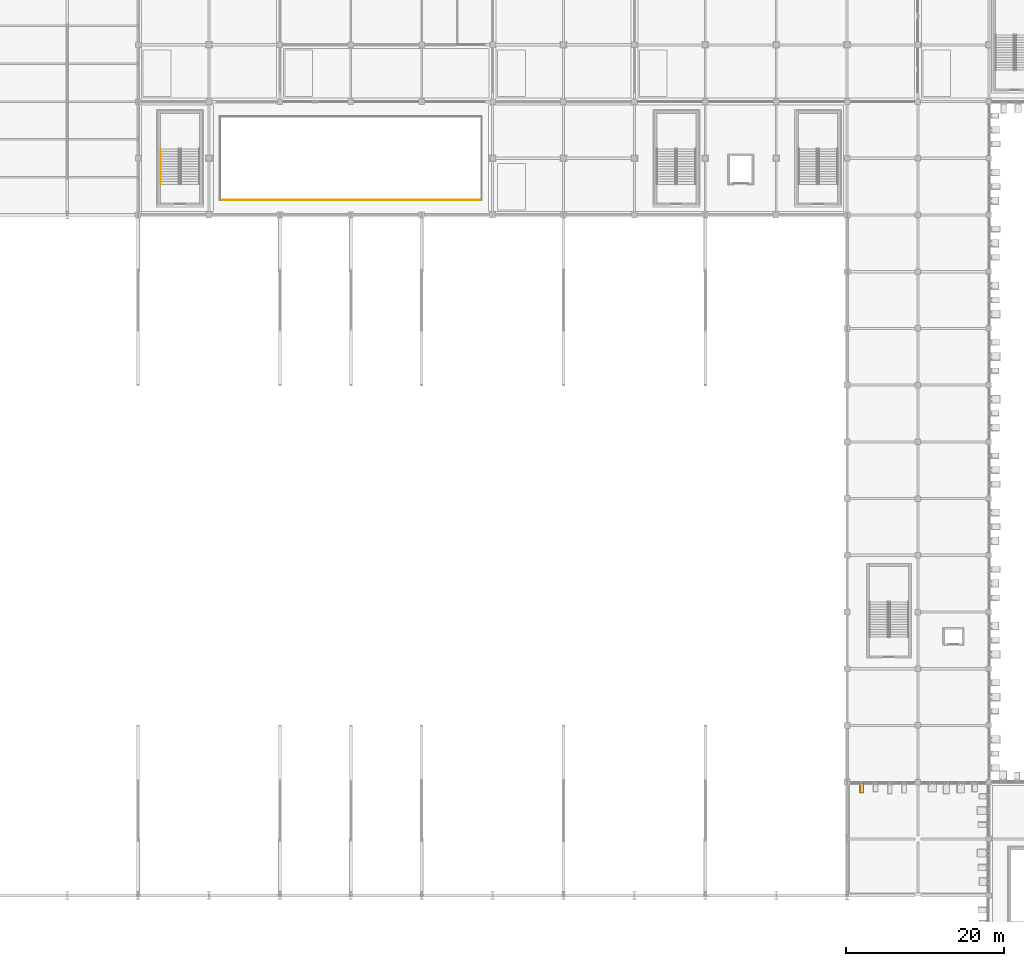
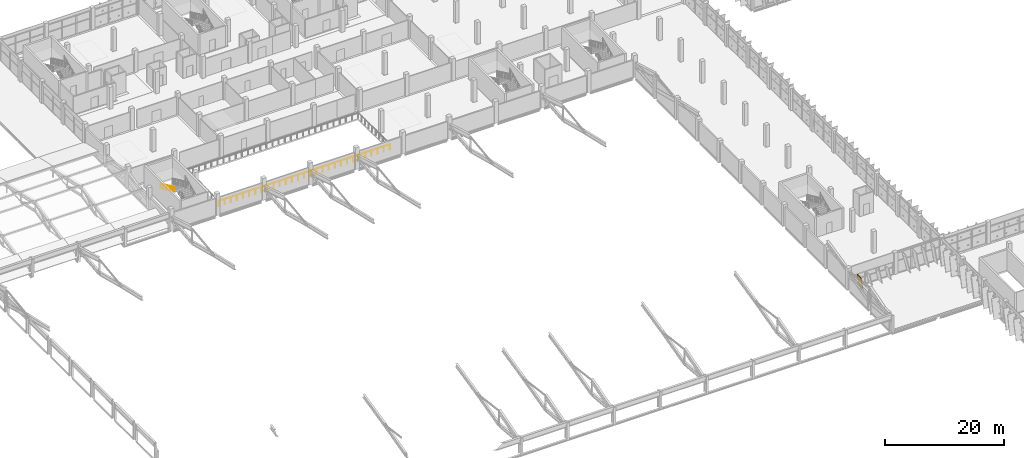
# One storey, part 129 of 151: 2 railings, 1 covering, 1 shading device.
"""IFC4 building model written with IfcOpenShell, lengths in metres."""

import ifcopenshell
import ifcopenshell.guid

model = None  # the IFC model being written
_history = None  # IfcOwnerHistory: only IFC2X3 demands one
_inside = {}  # id of a spatial element -> (the spatial element, [elements in it])
_under = {}  # id of a project, library or spatial element -> (it, [spatial elements below it])
_declared = {}  # id of a project -> (the project, [libraries it declares])
_typed = {}  # id of a type object -> (the type object, [elements of that type])
_made_of = {}  # id of a material, layer set ... -> (it, [elements and type objects made of it])


def new_model(schema):
    """Start an empty IFC model of exactly this schema.

    Asked for "IFC4X3", IfcOpenShell would pick the latest addendum, in which some entities
    have other attributes; the version numbers below select the first issue.
    IFC2X3 requires an IfcOwnerHistory on every rooted entity: one is made here for all.
    """
    global model, _history
    if schema == "IFC4X3":
        model = ifcopenshell.file(schema_version=(4, 3, 0, 0))
    else:
        model = ifcopenshell.file(schema=schema)
    _inside.clear()
    _under.clear()
    _declared.clear()
    _typed.clear()
    _made_of.clear()
    _history = None
    if model.schema == "IFC2X3":
        org = make("IfcOrganization", Name="unknown")
        user = make(
            "IfcPersonAndOrganization",
            ThePerson=make("IfcPerson", FamilyName="unknown"),
            TheOrganization=org,
        )
        app = make(
            "IfcApplication",
            ApplicationDeveloper=org,
            Version="unknown",
            ApplicationFullName="unknown",
            ApplicationIdentifier="unknown",
        )
        _history = make(
            "IfcOwnerHistory",
            OwningUser=user,
            OwningApplication=app,
            ChangeAction="ADDED",
            CreationDate=0,
        )
    return model


def make(cls, **values):
    """One entity of the class cls with the attributes given. An attribute that is None is left unset."""
    return model.create_entity(
        cls, **{name: value for name, value in values.items() if value is not None}
    )


def rooted(cls, **values):
    """An entity with a GlobalId (a new one), such as an element, a storey or a relation."""
    return make(cls, GlobalId=ifcopenshell.guid.new(), OwnerHistory=_history, **values)


def si_unit(unit_type, name, prefix=None):
    """IfcSIUnit, for example si_unit("LENGTHUNIT", "METRE", prefix="MILLI")."""
    return make("IfcSIUnit", UnitType=unit_type, Prefix=prefix, Name=name)


def assignment(units):
    """IfcUnitAssignment: the units of a project."""
    return None if units is None else make("IfcUnitAssignment", Units=units)


def point(xyz):
    """IfcCartesianPoint."""
    return None if xyz is None else make("IfcCartesianPoint", Coordinates=xyz)


def direction(xyz):
    """IfcDirection."""
    return None if xyz is None else make("IfcDirection", DirectionRatios=xyz)


def frame(location, z_axis=None, x_axis=None):
    """IfcAxis2Placement3D, a coordinate frame: its origin and axes. An axis left out is left unset."""
    return make(
        "IfcAxis2Placement3D",
        Location=point(location),
        Axis=direction(z_axis),
        RefDirection=direction(x_axis),
    )


def frame_2d(location, x_axis=None):
    """IfcAxis2Placement2D, a coordinate frame in the plane: its origin and x axis."""
    return make(
        "IfcAxis2Placement2D", Location=point(location), RefDirection=direction(x_axis)
    )


def origin():
    """The frame at (0, 0, 0) with its axes left unset."""
    return frame((0.0, 0.0, 0.0))


def origin_2d():
    """The frame at (0, 0) in the plane with its x axis left unset."""
    return frame_2d((0.0, 0.0))


def place(relative_to, where):
    """IfcLocalPlacement: puts the frame where relative to a parent placement (None: the world)."""
    return make(
        "IfcLocalPlacement", PlacementRelTo=relative_to, RelativePlacement=where
    )


def context(
    kind, dimensions, precision=None, world=None, true_north=None, identifier=None
):
    """IfcGeometricRepresentationContext, for example the 3D "Model" context."""
    return make(
        "IfcGeometricRepresentationContext",
        ContextIdentifier=identifier,
        ContextType=kind,
        CoordinateSpaceDimension=dimensions,
        Precision=precision,
        WorldCoordinateSystem=world,
        TrueNorth=true_north,
    )


def subcontext(parent, identifier, kind, view, scale=None):
    """IfcGeometricRepresentationSubContext, for example "Body" below "Model"."""
    return make(
        "IfcGeometricRepresentationSubContext",
        ContextIdentifier=identifier,
        ContextType=kind,
        ParentContext=parent,
        TargetScale=scale,
        TargetView=view,
    )


def project(units=None, contexts=None):
    """IfcProject with its units and contexts."""
    return rooted(
        "IfcProject",
        Name="project",
        RepresentationContexts=contexts,
        UnitsInContext=assignment(units),
    )


def spatial(cls, under=None, at=None, **own):
    """A site, building, storey or space (cls), placed at a placement, below another one or the project."""
    s = rooted(cls, ObjectPlacement=at, **own)
    if under is not None:
        _under.setdefault(under.id(), (under, []))[1].append(s)
    return s


def profile(cls, at=None, kind="AREA", **sizes):
    """A parametric profile (cls). Its sizes go by their IFC names, for example OverallWidth=200.0."""
    return make(cls, ProfileType=kind, Position=at, **sizes)


def rectangle(**sizes):
    """IfcRectangleProfileDef."""
    return profile("IfcRectangleProfileDef", **sizes)


def circle(**sizes):
    """IfcCircleProfileDef."""
    return profile("IfcCircleProfileDef", **sizes)


def extrude(swept, where, along, depth):
    """IfcExtrudedAreaSolid: the profile swept, set in the frame where, extruded along a direction by depth."""
    return make(
        "IfcExtrudedAreaSolid",
        SweptArea=swept,
        Position=where,
        ExtrudedDirection=direction(along),
        Depth=depth,
    )


def shape(context_of_items, identifier, shape_type, items):
    """IfcShapeRepresentation: the items that make up one representation, for example the "Body"."""
    return make(
        "IfcShapeRepresentation",
        ContextOfItems=context_of_items,
        RepresentationIdentifier=identifier,
        RepresentationType=shape_type,
        Items=items,
    )


def material(Name=None, Category=None):
    """IfcMaterial."""
    return make("IfcMaterial", Name=Name, Category=Category)


def layer(
    of_material, thickness, ventilated=None, Name=None, Category=None, Priority=None
):
    """IfcMaterialLayer: one layer of a wall or slab, of a material (None: an air gap)."""
    return make(
        "IfcMaterialLayer",
        Material=of_material,
        LayerThickness=thickness,
        IsVentilated=ventilated,
        Name=Name,
        Category=Category,
        Priority=Priority,
    )


def layer_set(layers, Name=None):
    """IfcMaterialLayerSet."""
    return make("IfcMaterialLayerSet", MaterialLayers=layers, LayerSetName=Name)


def material_profile(
    of_material, cross_section, Name=None, Category=None, Priority=None
):
    """IfcMaterialProfile: a cross section and its material."""
    return make(
        "IfcMaterialProfile",
        Name=Name,
        Material=of_material,
        Profile=cross_section,
        Priority=Priority,
        Category=Category,
    )


def profile_set(profiles, Name=None, composite=None):
    """IfcMaterialProfileSet."""
    return make(
        "IfcMaterialProfileSet",
        Name=Name,
        MaterialProfiles=profiles,
        CompositeProfile=composite,
    )


def made_of(thing, what):
    """Note that an element or type object is made of a material, layer set ...; save() writes the relation."""
    if what is not None:
        _made_of.setdefault(what.id(), (what, []))[1].append(thing)
    return thing


def type_object(cls, material=None, **own):
    """A type object (cls), such as IfcWallType, which elements share."""
    return made_of(rooted(cls, **own), material)


def element(
    cls,
    number,
    at=None,
    inside=None,
    cuts=None,
    type_object=None,
    material=None,
    context=None,
    identifier="Body",
    shape_type=None,
    held_by="IfcProductDefinitionShape",
    body=None,
    shapes=None,
    **own,
):
    """One element of the class cls, such as IfcWall. Its Tag is "e" and its number.

    at: its placement. inside: the storey or other place that contains it. cuts: it is an
    opening in that element (IfcRelVoidsElement). A single representation is given by context,
    identifier, shape_type and body (its items); several are given by shapes. held_by: the class
    of the entity that holds the representations. save() writes the other relations.
    """
    e = rooted(cls, Tag="e%d" % number, ObjectPlacement=at, **own)
    if body is not None:
        shapes = [shape(context, identifier, shape_type, body)]
    if shapes is not None:
        e.Representation = make(held_by, Representations=shapes)
    if inside is not None:
        _inside.setdefault(inside.id(), (inside, []))[1].append(e)
    if cuts is not None:
        rooted(
            "IfcRelVoidsElement", RelatingBuildingElement=cuts, RelatedOpeningElement=e
        )
    if type_object is not None:
        _typed.setdefault(type_object.id(), (type_object, []))[1].append(e)
    return made_of(e, material)


def aggregate(whole, parts):
    """IfcRelAggregates: a whole, such as a stair, and the parts it consists of."""
    return rooted("IfcRelAggregates", RelatingObject=whole, RelatedObjects=parts)


def save(model, path):
    """Write the relations noted so far, then the file.

    IfcRelAggregates (storeys below a building ...), IfcRelContainedInSpatialStructure (elements
    in a storey), IfcRelDefinesByType, IfcRelAssociatesMaterial and IfcRelDeclares: one each for
    every whole, place, type object, material and project.
    """
    for whole, parts in _under.values():
        aggregate(whole, parts)
    for where, things in _inside.values():
        rooted(
            "IfcRelContainedInSpatialStructure",
            RelatedElements=things,
            RelatingStructure=where,
        )
    for kind, things in _typed.values():
        rooted("IfcRelDefinesByType", RelatedObjects=things, RelatingType=kind)
    for what, things in _made_of.values():
        rooted("IfcRelAssociatesMaterial", RelatedObjects=things, RelatingMaterial=what)
    for by, libraries in _declared.values():
        rooted("IfcRelDeclares", RelatingContext=by, RelatedDefinitions=libraries)
    model.write(path)


model = new_model("IFC4")

# Units and contexts
model_context = context("Model", 3, precision=1e-05, world=origin(), true_north=direction((0.0, 1.0)))
body_context = subcontext(model_context, "Body", "Model", "MODEL_VIEW")
ifc_project = project(units=[si_unit("LENGTHUNIT", "METRE"), si_unit("AREAUNIT", "SQUARE_METRE"), si_unit("VOLUMEUNIT", "CUBIC_METRE"), si_unit("PLANEANGLEUNIT", "RADIAN"), si_unit("MASSUNIT", "GRAM", prefix="KILO")], contexts=[model_context])

# Site, building, storey
site_placement = place(None, origin())
site = spatial("IfcSite", under=ifc_project, at=site_placement, CompositionType="ELEMENT")
building_placement = place(site_placement, origin())
building = spatial("IfcBuilding", under=site, at=building_placement, Name="Celestram Park Convention Centre", CompositionType="ELEMENT")
storey_placement = place(building_placement, frame((0.0, 0.0, 10.800048828125)))
storey = spatial("IfcBuildingStorey", under=building, at=storey_placement, Name="L02", CompositionType="ELEMENT", Elevation=10.800048828125)

# Covering
ifc_material_1 = material(Name="Timber-Toned Anodised Aluminium Alloy 6063-T6", Category="wood")
ifc_material_profile_1 = material_profile(ifc_material_1, rectangle(XDim=1.280029296875, YDim=0.090087890625, at=origin_2d()), Name="REED1280X90")
ifc_profile_set_1 = profile_set([ifc_material_profile_1], Name="Timber-Toned Anodised Aluminium Alloy 6063-T6")
covering_type = type_object("IfcCoveringType", Name="ARC-COV-FIN1280", PredefinedType="CLADDING", material=ifc_profile_set_1)
covering_placement = place(storey_placement, frame((128.031982421875, 35.280029296875, 0.023681640625), z_axis=(-0.17019854033, 0.0, 0.98540979134), x_axis=(0.0, -1.0, 0.0)))
element("IfcCovering", 1, at=covering_placement, inside=storey, type_object=covering_type, Name="Leaning timber-toned reed fin RFN-L02-0612", PredefinedType="CLADDING", context=body_context, shape_type="SweptSolid", body=[
    extrude(rectangle(XDim=1.280029296875, YDim=0.090087890625, at=origin_2d()), origin(), (0.0, 0.0, 1.0), 2.5791015625),
])

# Shading device
ifc_material_2 = material(Name="Anodised Bronze Aluminium Alloy 6063-T6", Category="aluminium")
ifc_material_profile_2 = material_profile(ifc_material_2, rectangle(XDim=1.280029296875, YDim=0.080078125, at=origin_2d()), Name="FIN1280X80")
ifc_profile_set_2 = profile_set([ifc_material_profile_2], Name="Anodised Bronze Aluminium Alloy 6063-T6")
shading_device_type = type_object("IfcShadingDeviceType", Name="ARC-FIN-BZ1280", PredefinedType="USERDEFINED", material=ifc_profile_set_2)
shading_device_placement = place(storey_placement, frame((128.031982421875, 35.280029296875, 0.023681640625), z_axis=(-0.17019854033, 0.0, 0.98540979134), x_axis=(0.0, -1.0, 0.0)))
element("IfcShadingDevice", 2, at=shading_device_placement, inside=storey, type_object=shading_device_type, Name="Expressive solar fin FN-L02-0612", ObjectType="SOLAR_FIN", PredefinedType="USERDEFINED", context=body_context, shape_type="SweptSolid", body=[
    extrude(rectangle(XDim=1.280029296875, YDim=0.080078125, at=origin_2d()), origin(), (0.0, 0.0, 1.0), 2.5791015625),
])

# Railings
ifc_material_3 = material(Name="Stainless Steel AISI 316L & Laminated Glass", Category="steel")
ifc_layer_1 = layer(ifc_material_3, 0.06005859375)
ifc_layer_set_1 = layer_set([ifc_layer_1], Name="Stainless Steel AISI 316L & Laminated Glass")
railing_type_1 = type_object("IfcRailingType", Name="ARC-RL-GRD1120", PredefinedType="GUARDRAIL", material=ifc_layer_set_1)
railing_1_placement = place(storey_placement, frame((46.3798828125, 109.8798828125, 0.0)))
element("IfcRailing", 3, at=railing_1_placement, inside=storey, type_object=railing_type_1, Name="Atrium/balcony balustrade RL-L02-VB023", PredefinedType="GUARDRAIL", context=body_context, shape_type="SweptSolid", body=[
    extrude(circle(Radius=0.02392578125, at=origin_2d()), frame((0.0, 0.0, 1.09619140625), z_axis=(1.0, 0.0, 0.0), x_axis=(0.0, 1.0, 0.0)), (0.0, 0.0, 1.0), 33.240234375),
    extrude(circle(Radius=0.02099609375, at=origin_2d()), origin(), (0.0, 0.0, 1.0), 1.072021484375),
    extrude(circle(Radius=0.02099609375, at=origin_2d()), frame((1.187255859375, 0.0, 0.0)), (0.0, 0.0, 1.0), 1.072021484375),
    extrude(circle(Radius=0.02099609375, at=origin_2d()), frame((2.374267578125, 0.0, 0.0)), (0.0, 0.0, 1.0), 1.072021484375),
    extrude(circle(Radius=0.02099609375, at=origin_2d()), frame((3.5615234375, 0.0, 0.0)), (0.0, 0.0, 1.0), 1.072021484375),
    extrude(circle(Radius=0.02099609375, at=origin_2d()), frame((4.74853515625, 0.0, 0.0)), (0.0, 0.0, 1.0), 1.072021484375),
    extrude(circle(Radius=0.02099609375, at=origin_2d()), frame((5.935791015625, 0.0, 0.0)), (0.0, 0.0, 1.0), 1.072021484375),
    extrude(circle(Radius=0.02099609375, at=origin_2d()), frame((7.122802734375, 0.0, 0.0)), (0.0, 0.0, 1.0), 1.072021484375),
    extrude(circle(Radius=0.02099609375, at=origin_2d()), frame((8.31005859375, 0.0, 0.0)), (0.0, 0.0, 1.0), 1.072021484375),
    extrude(circle(Radius=0.02099609375, at=origin_2d()), frame((9.497314453125, 0.0, 0.0)), (0.0, 0.0, 1.0), 1.072021484375),
    extrude(circle(Radius=0.02099609375, at=origin_2d()), frame((10.684326171875, 0.0, 0.0)), (0.0, 0.0, 1.0), 1.072021484375),
    extrude(circle(Radius=0.02099609375, at=origin_2d()), frame((11.87158203125, 0.0, 0.0)), (0.0, 0.0, 1.0), 1.072021484375),
    extrude(circle(Radius=0.02099609375, at=origin_2d()), frame((13.05859375, 0.0, 0.0)), (0.0, 0.0, 1.0), 1.072021484375),
    extrude(circle(Radius=0.02099609375, at=origin_2d()), frame((14.245849609375, 0.0, 0.0)), (0.0, 0.0, 1.0), 1.072021484375),
    extrude(circle(Radius=0.02099609375, at=origin_2d()), frame((15.432861328125, 0.0, 0.0)), (0.0, 0.0, 1.0), 1.072021484375),
    extrude(circle(Radius=0.02099609375, at=origin_2d()), frame((16.6201171875, 0.0, 0.0)), (0.0, 0.0, 1.0), 1.072021484375),
    extrude(circle(Radius=0.02099609375, at=origin_2d()), frame((17.807373046875, 0.0, 0.0)), (0.0, 0.0, 1.0), 1.072021484375),
    extrude(circle(Radius=0.02099609375, at=origin_2d()), frame((18.994384765625, 0.0, 0.0)), (0.0, 0.0, 1.0), 1.072021484375),
    extrude(circle(Radius=0.02099609375, at=origin_2d()), frame((20.181640625, 0.0, 0.0)), (0.0, 0.0, 1.0), 1.072021484375),
    extrude(circle(Radius=0.02099609375, at=origin_2d()), frame((21.36865234375, 0.0, 0.0)), (0.0, 0.0, 1.0), 1.072021484375),
    extrude(circle(Radius=0.02099609375, at=origin_2d()), frame((22.555908203125, 0.0, 0.0)), (0.0, 0.0, 1.0), 1.072021484375),
    extrude(circle(Radius=0.02099609375, at=origin_2d()), frame((23.742919921875, 0.0, 0.0)), (0.0, 0.0, 1.0), 1.072021484375),
    extrude(circle(Radius=0.02099609375, at=origin_2d()), frame((24.93017578125, 0.0, 0.0)), (0.0, 0.0, 1.0), 1.072021484375),
    extrude(circle(Radius=0.02099609375, at=origin_2d()), frame((26.117431640625, 0.0, 0.0)), (0.0, 0.0, 1.0), 1.072021484375),
    extrude(circle(Radius=0.02099609375, at=origin_2d()), frame((27.304443359375, 0.0, 0.0)), (0.0, 0.0, 1.0), 1.072021484375),
    extrude(circle(Radius=0.02099609375, at=origin_2d()), frame((28.49169921875, 0.0, 0.0)), (0.0, 0.0, 1.0), 1.072021484375),
    extrude(circle(Radius=0.02099609375, at=origin_2d()), frame((29.6787109375, 0.0, 0.0)), (0.0, 0.0, 1.0), 1.072021484375),
    extrude(circle(Radius=0.02099609375, at=origin_2d()), frame((30.865966796875, 0.0, 0.0)), (0.0, 0.0, 1.0), 1.072021484375),
    extrude(circle(Radius=0.02099609375, at=origin_2d()), frame((32.052978515625, 0.0, 0.0)), (0.0, 0.0, 1.0), 1.072021484375),
    extrude(circle(Radius=0.02099609375, at=origin_2d()), frame((33.240234375, 0.0, 0.0)), (0.0, 0.0, 1.0), 1.072021484375),
])
ifc_material_4 = material(Name="Brushed Stainless Steel AISI 304", Category="steel")
ifc_layer_2 = layer(ifc_material_4, 0.048095703125)
ifc_layer_set_2 = layer_set([ifc_layer_2], Name="Brushed Stainless Steel AISI 304")
railing_type_2 = type_object("IfcRailingType", Name="ARC-RL-HND915", PredefinedType="HANDRAIL", material=ifc_layer_set_2)
railing_2_placement = place(storey_placement, frame((38.8759765625, 116.3798828125, 2.39990234375)))
element("IfcRailing", 4, at=railing_2_placement, inside=storey, type_object=railing_type_2, Name="L02 ST-13 stair handrail 2", PredefinedType="HANDRAIL", context=body_context, shape_type="SweptSolid", body=[
    extrude(circle(Radius=0.02392578125, at=origin_2d()), frame((0.0, 0.0, 0.8759765625), z_axis=(0.0, -0.905450639465, 0.424451574969), x_axis=(1.0, 0.0, 0.0)), (0.0, 0.0, 1.0), 4.94775390625),
    extrude(circle(Radius=0.02099609375, at=origin_2d()), origin(), (0.0, 0.0, 1.0), 0.851806640625),
    extrude(circle(Radius=0.02099609375, at=origin_2d()), frame((0.0, -0.89599609375, 0.419921875)), (0.0, 0.0, 1.0), 0.851806640625),
    extrude(circle(Radius=0.02099609375, at=origin_2d()), frame((0.0, -1.7919921875, 0.840087890625)), (0.0, 0.0, 1.0), 0.851806640625),
    extrude(circle(Radius=0.02099609375, at=origin_2d()), frame((0.0, -2.68798828125, 1.260009765625)), (0.0, 0.0, 1.0), 0.851806640625),
    extrude(circle(Radius=0.02099609375, at=origin_2d()), frame((0.0, -3.583984375, 1.68017578125)), (0.0, 0.0, 1.0), 0.851806640625),
    extrude(circle(Radius=0.02099609375, at=origin_2d()), frame((0.0, -4.47998046875, 2.10009765625)), (0.0, 0.0, 1.0), 0.851806640625),
])

save(model, "model.ifc")
